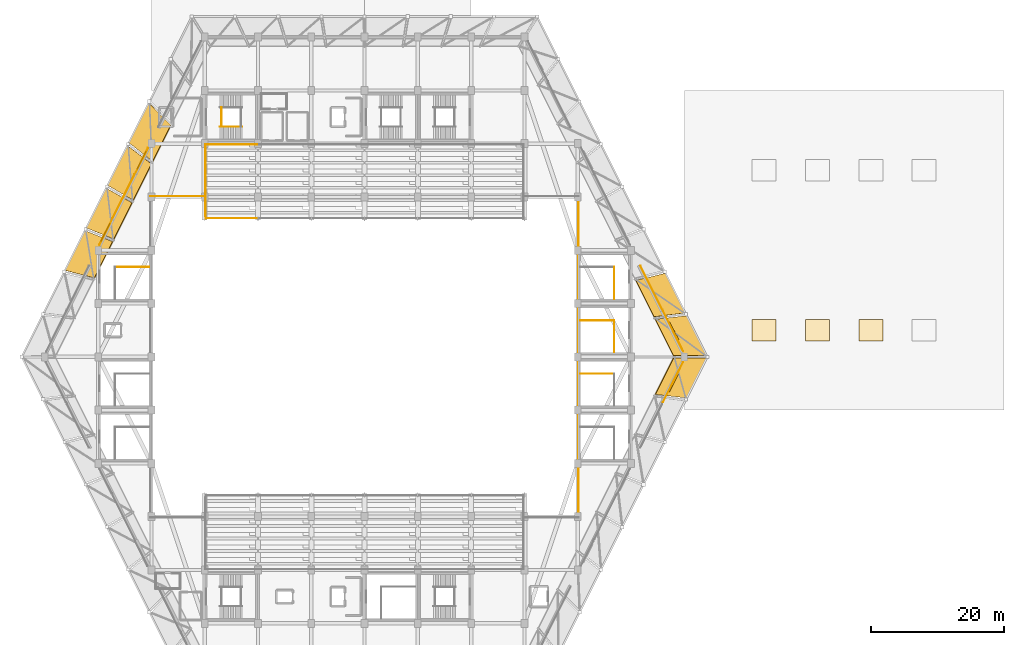
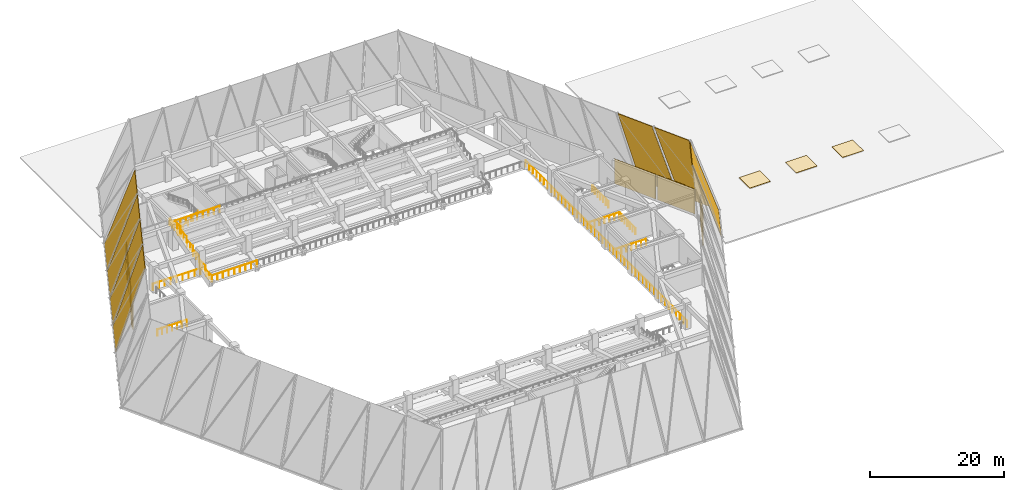
# One storey, part 22 of 24: 17 railings, 16 coverings, 4 shading devices.
"""IFC4 building model written with IfcOpenShell, lengths in metres."""

from ifc_helpers import new_model, si_unit, direction, frame, origin, origin_2d, place, context, subcontext, project, spatial, polyline, rectangle, circle, outline, extrude, material, layer, layer_set, type_object, element, save


model = new_model("IFC4")

# Units and contexts
model_context = context("Model", 3, precision=1e-05, world=origin(), true_north=direction((0.0, 1.0)))
body_context = subcontext(model_context, "Body", "Model", "MODEL_VIEW")
ifc_project = project(units=[si_unit("LENGTHUNIT", "METRE"), si_unit("AREAUNIT", "SQUARE_METRE"), si_unit("VOLUMEUNIT", "CUBIC_METRE"), si_unit("PLANEANGLEUNIT", "RADIAN"), si_unit("MASSUNIT", "GRAM", prefix="KILO")], contexts=[model_context])

# Site, building, storey
site_placement = place(None, origin())
site = spatial("IfcSite", under=ifc_project, at=site_placement, CompositionType="ELEMENT")
building_placement = place(site_placement, origin())
building = spatial("IfcBuilding", under=site, at=building_placement, Name="Tazarka Park Arena", CompositionType="ELEMENT")
storey_placement = place(building_placement, frame((0.0, 0.0, 15.0)))
storey = spatial("IfcBuildingStorey", under=building, at=storey_placement, Name="L03", CompositionType="ELEMENT", Elevation=15.0)

# Coverings
ifc_material_1 = material(Name="Dark ribbed perforated bronze-charcoal aluminium mesh", Category="aluminium")
ifc_layer_1 = layer(ifc_material_1, 0.06005859375, Name="Dark ribbed perforated bronze-charcoal aluminium mesh")
ifc_layer_set_1 = layer_set([ifc_layer_1], Name="Dark ribbed perforated bronze-charcoal aluminium mesh")
covering_type_1 = type_object("IfcCoveringType", Name="CLD-01", PredefinedType="CLADDING", material=ifc_layer_set_1)
covering_1_placement = place(storey_placement, frame((136.374267578125, 57.81689453125, 0.0), z_axis=(0.854429991825, -0.427205876156, 0.295710210253), x_axis=(0.447207903466, 0.894430036967, -7.026136e-06)))
element("IfcCovering", 1, at=covering_1_placement, inside=storey, type_object=covering_type_1, Name="Folded Gem Upper Ribbed Mesh Facet 016", PredefinedType="CLADDING", context=body_context, shape_type="SweptSolid", body=[
    extrude(outline(polyline([(0.0, 0.0), (6.684511219047283, 0.0), (4.478614228243955, 15.053124739790182), (-1.6235148351022615, 15.053030693136057), (0.0, 0.0)])), origin(), (0.0, 0.0, -1.0), 0.080078125),
])
covering_2_placement = place(storey_placement, frame((139.36376953125, 64.204345703125, 0.0), z_axis=(0.854429991825, 0.427205876156, 0.295710210253), x_axis=(-0.447207903466, 0.894430036967, 7.026136e-06)))
element("IfcCovering", 2, at=covering_2_placement, inside=storey, type_object=covering_type_1, Name="Folded Gem Upper Ribbed Mesh Facet 017", PredefinedType="CLADDING", context=body_context, shape_type="SweptSolid", body=[
    extrude(outline(polyline([(0.0, 0.0), (6.684511219047283, 0.0), (8.308026054149545, 15.053030693136057), (2.2058969908033284, 15.053124739790182), (0.0, 0.0)])), origin(), (0.0, 0.0, -1.0), 0.080078125),
])
covering_3_placement = place(storey_placement, frame((136.169921875, 70.591796875, 0.0), z_axis=(0.85442824834, 0.427205004432, 0.295716507193), x_axis=(-0.447205348407, 0.894431314496, -2.202062e-06)))
element("IfcCovering", 3, at=covering_3_placement, inside=storey, type_object=covering_type_1, Name="Folded Gem Upper Ribbed Mesh Facet 018", PredefinedType="CLADDING", context=body_context, shape_type="SweptSolid", body=[
    extrude(outline(polyline([(0.0, 0.0), (6.684402037742117, 1.1102230246251565e-16), (7.685865047796924, 15.053140232285772), (1.5836268028336562, 15.053110757054977), (0.0, 0.0)])), origin(), (0.0, 0.0, -1.0), 0.080078125),
])
covering_4_placement = place(storey_placement, frame((55.594482421875, 102.12060546875, 0.0), z_axis=(-0.854418063297, 0.427227271296, 0.295713766626), x_axis=(-0.447228812099, -0.894419582539, 2.10195e-07)))
element("IfcCovering", 4, at=covering_4_placement, inside=storey, type_object=covering_type_1, Name="Folded Gem Upper Ribbed Mesh Facet 035", PredefinedType="CLADDING", context=body_context, shape_type="SweptSolid", body=[
    extrude(outline(polyline([(0.0, 0.0), (6.684511220932458, -1.1102230246251565e-16), (7.589019723614486, 15.053107476761605), (1.4869998434161462, 15.053110290258305), (0.0, 0.0)])), origin(), (0.0, 0.0, -1.0), 0.080078125),
])
covering_5_placement = place(storey_placement, frame((52.400634765625, 95.733154296875, 0.0), z_axis=(-0.854425702053, 0.427212851026, 0.295712528631), x_axis=(-0.447212317948, -0.894427829763, 4.614148e-06)))
element("IfcCovering", 5, at=covering_5_placement, inside=storey, type_object=covering_type_1, Name="Folded Gem Upper Ribbed Mesh Facet 036", PredefinedType="CLADDING", context=body_context, shape_type="SweptSolid", body=[
    extrude(outline(polyline([(0.0, 0.0), (6.684402037113722, 2.220446049250313e-16), (6.96704036734277, 15.053069455925998), (0.8650204883458683, 15.05313121648849), (0.0, 0.0)])), origin(), (0.0, 0.0, -1.0), 0.080078125),
])
covering_6_placement = place(storey_placement, frame((49.206787109375, 89.345703125, 0.0), z_axis=(-0.854426594025, 0.427204177292, 0.295722481945), x_axis=(-0.447205348382, -0.894431314509, 2.202102e-06)))
element("IfcCovering", 6, at=covering_6_placement, inside=storey, type_object=covering_type_1, Name="Folded Gem Upper Ribbed Mesh Facet 037", PredefinedType="CLADDING", context=body_context, shape_type="SweptSolid", body=[
    extrude(outline(polyline([(0.0, 0.0), (6.684402037742119, -2.220446049250313e-16), (6.345133964078188, 15.053137033729044), (0.24289571911492003, 15.053166509555366), (0.0, 0.0)])), origin(), (0.0, 0.0, -1.0), 0.080078125),
])
covering_7_placement = place(storey_placement, frame((46.01318359375, 82.9580078125, 0.0), z_axis=(-0.854416765636, 0.427226622438, 0.295718453399), x_axis=(-0.447230089743, -0.894418943678, -4.404259e-06)))
element("IfcCovering", 7, at=covering_7_placement, inside=storey, type_object=covering_type_1, Name="Folded Gem Upper Ribbed Mesh Facet 038", PredefinedType="CLADDING", context=body_context, shape_type="SweptSolid", body=[
    extrude(outline(polyline([(0.0, 0.0), (6.684292856854548, 1.1102230246251565e-16), (5.722681874086814, 15.053158393174112), (-0.3795563700538452, 15.053099441361649), (0.0, 0.0)])), origin(), (0.0, 0.0, -1.0), 0.080078125),
])
covering_8_placement = place(storey_placement, frame((134.310546875, 60.196533203125, 0.0), z_axis=(0.0, 0.0, 1.0), x_axis=(-0.447290848419, -0.89438856037, 0.0)))
element("IfcCovering", 8, at=covering_8_placement, inside=storey, type_object=covering_type_1, Name="Ribbed Metal Mesh Cladding EW-L03-0290", PredefinedType="CLADDING", context=body_context, shape_type="SweptSolid", body=[
    extrude(rectangle(XDim=6.718017578125, YDim=0.06005859375, at=origin_2d()), origin(), (0.0, 0.0, 1.0), 4.5),
])
covering_9_placement = place(storey_placement, frame((131.06298828125, 74.388671875, 0.0), z_axis=(0.0, 0.0, 1.0), x_axis=(0.447290848419, -0.89438856037, 0.0)))
element("IfcCovering", 9, at=covering_9_placement, inside=storey, type_object=covering_type_1, Name="Ribbed Metal Mesh Cladding EW-L03-0302", PredefinedType="CLADDING", context=body_context, shape_type="SweptSolid", body=[
    extrude(rectangle(XDim=7.366455078125, YDim=0.06005859375, at=origin_2d()), origin(), (0.0, 0.0, 1.0), 4.5),
])
covering_10_placement = place(storey_placement, frame((134.350830078125, 67.823486328125, 0.0), z_axis=(0.0, 0.0, 1.0), x_axis=(0.447290848419, -0.89438856037, 0.0)))
element("IfcCovering", 10, at=covering_10_placement, inside=storey, type_object=covering_type_1, Name="Ribbed Metal Mesh Cladding EW-L03-0303", PredefinedType="CLADDING", context=body_context, shape_type="SweptSolid", body=[
    extrude(rectangle(XDim=6.718017578125, YDim=0.06005859375, at=origin_2d()), origin(), (0.0, 0.0, 1.0), 4.5),
])
covering_11_placement = place(storey_placement, frame((49.122314453125, 82.658447265625, 0.0), z_axis=(0.0, 0.0, 1.0), x_axis=(0.447290848419, 0.89438856037, 0.0)))
element("IfcCovering", 11, at=covering_11_placement, inside=storey, type_object=covering_type_1, Name="Ribbed Metal Mesh Cladding EW-L03-0312", PredefinedType="CLADDING", context=body_context, shape_type="SweptSolid", body=[
    extrude(rectangle(XDim=4.16259765625, YDim=0.06005859375, at=origin_2d()), origin(), (0.0, 0.0, 1.0), 4.5),
])
covering_12_placement = place(storey_placement, frame((51.82568359375, 88.087158203125, 0.0), z_axis=(0.0, 0.0, 1.0), x_axis=(0.447290848419, 0.89438856037, 0.0)))
element("IfcCovering", 12, at=covering_12_placement, inside=storey, type_object=covering_type_1, Name="Ribbed Metal Mesh Cladding EW-L03-0313", PredefinedType="CLADDING", context=body_context, shape_type="SweptSolid", body=[
    extrude(rectangle(XDim=7.36669921875, YDim=0.06005859375, at=origin_2d()), origin(), (0.0, 0.0, 1.0), 4.5),
])
covering_13_placement = place(storey_placement, frame((54.573486328125, 93.49365234375, 0.0), z_axis=(0.0, 0.0, 1.0), x_axis=(0.447290848419, 0.89438856037, 0.0)))
element("IfcCovering", 13, at=covering_13_placement, inside=storey, type_object=covering_type_1, Name="Ribbed Metal Mesh Cladding EW-L03-0314", PredefinedType="CLADDING", context=body_context, shape_type="SweptSolid", body=[
    extrude(rectangle(XDim=4.16259765625, YDim=0.06005859375, at=origin_2d()), origin(), (0.0, 0.0, 1.0), 4.5),
])

# Railings
ifc_material_2 = material(Name="Brushed architectural stainless steel", Category="steel")
railing_type_1 = type_object("IfcRailingType", Name="HR-01", PredefinedType="HANDRAIL", material=ifc_material_2)
railing_1_placement = place(storey_placement, frame((66.31494140625, 98.550048828125, 0.0)))
element("IfcRailing", 14, at=railing_1_placement, inside=storey, type_object=railing_type_1, Name="Stair Handrail ST14-L03-F1", PredefinedType="HANDRAIL", context=body_context, shape_type="SweptSolid", body=[
    extrude(circle(Radius=0.02392578125, at=origin_2d()), frame((0.0, 0.0, 0.89599609375), z_axis=(0.810008566192, 0.0, 0.586418044312), x_axis=(0.0, 1.0, 0.0)), (0.0, 0.0, 1.0), 4.092529296875),
    extrude(circle(Radius=0.02099609375, at=origin_2d()), origin(), (0.0, 0.0, 1.0), 0.871826171875),
    extrude(circle(Radius=0.02099609375, at=origin_2d()), frame((0.82861328125, 0.0, 0.60009765625)), (0.0, 0.0, 1.0), 0.871826171875),
    extrude(circle(Radius=0.02099609375, at=origin_2d()), frame((1.657470703125, 0.0, 1.199951171875)), (0.0, 0.0, 1.0), 0.871826171875),
    extrude(circle(Radius=0.02099609375, at=origin_2d()), frame((2.486328125, 0.0, 1.7998046875)), (0.0, 0.0, 1.0), 0.871826171875),
    extrude(circle(Radius=0.02099609375, at=origin_2d()), frame((3.31494140625, 0.0, 2.39990234375)), (0.0, 0.0, 1.0), 0.871826171875),
])
ifc_material_3 = material(Name="Galvanised powder-coated architectural steel", Category="steel")
railing_type_2 = type_object("IfcRailingType", Name="IGR-01", PredefinedType="GUARDRAIL", material=ifc_material_3)
railing_2_placement = place(storey_placement, frame((125.485107421875, 61.449951171875, 0.0)))
element("IfcRailing", 15, at=railing_2_placement, inside=storey, type_object=railing_type_2, Name="Top Well Guardrail ST12-L03", PredefinedType="GUARDRAIL", context=body_context, shape_type="SweptSolid", body=[
    extrude(circle(Radius=0.02392578125, at=origin_2d()), frame((0.0, 0.0, 1.1259765625), z_axis=(-1.0, 0.0, 0.0), x_axis=(0.0, -1.0, 0.0)), (0.0, 0.0, 1.0), 5.105224609375),
    extrude(circle(Radius=0.02099609375, at=origin_2d()), origin(), (0.0, 0.0, 1.0), 1.101806640625),
    extrude(circle(Radius=0.02099609375, at=origin_2d()), frame((-0.850830078125, 0.0, 0.0)), (0.0, 0.0, 1.0), 1.101806640625),
    extrude(circle(Radius=0.02099609375, at=origin_2d()), frame((-1.70166015625, 0.0, 0.0)), (0.0, 0.0, 1.0), 1.101806640625),
    extrude(circle(Radius=0.02099609375, at=origin_2d()), frame((-2.552734375, 0.0, 0.0)), (0.0, 0.0, 1.0), 1.101806640625),
    extrude(circle(Radius=0.02099609375, at=origin_2d()), frame((-3.403564453125, 0.0, 0.0)), (0.0, 0.0, 1.0), 1.101806640625),
    extrude(circle(Radius=0.02099609375, at=origin_2d()), frame((-4.25439453125, 0.0, 0.0)), (0.0, 0.0, 1.0), 1.101806640625),
    extrude(circle(Radius=0.02099609375, at=origin_2d()), frame((-5.105224609375, 0.0, 0.0)), (0.0, 0.0, 1.0), 1.101806640625),
])
railing_3_placement = place(storey_placement, frame((66.514892578125, 98.550048828125, 0.0)))
element("IfcRailing", 16, at=railing_3_placement, inside=storey, type_object=railing_type_2, Name="Stair Well Guardrail ST14-L03", PredefinedType="GUARDRAIL", context=body_context, shape_type="SweptSolid", body=[
    extrude(circle(Radius=0.02392578125, at=origin_2d()), frame((0.0, 0.0, 1.1259765625), z_axis=(0.0, 1.0, 0.0), x_axis=(-1.0, 0.0, 0.0)), (0.0, 0.0, 1.0), 2.89990234375),
    extrude(circle(Radius=0.02099609375, at=origin_2d()), origin(), (0.0, 0.0, 1.0), 1.101806640625),
    extrude(circle(Radius=0.02099609375, at=origin_2d()), frame((0.0, 0.72509765625, 0.0)), (0.0, 0.0, 1.0), 1.101806640625),
    extrude(circle(Radius=0.02099609375, at=origin_2d()), frame((0.0, 1.449951171875, 0.0)), (0.0, 0.0, 1.0), 1.101806640625),
    extrude(circle(Radius=0.02099609375, at=origin_2d()), frame((0.0, 2.1748046875, 0.0)), (0.0, 0.0, 1.0), 1.101806640625),
    extrude(circle(Radius=0.02099609375, at=origin_2d()), frame((0.0, 2.89990234375, 0.0)), (0.0, 0.0, 1.0), 1.101806640625),
])
railing_4_placement = place(storey_placement, frame((125.485107421875, 64.679931640625, 0.0)))
element("IfcRailing", 17, at=railing_4_placement, inside=storey, type_object=railing_type_2, Name="Stair Well Guardrail ST16-L03", PredefinedType="GUARDRAIL", context=body_context, shape_type="SweptSolid", body=[
    extrude(circle(Radius=0.02392578125, at=origin_2d()), frame((0.0, 0.0, 1.1259765625), z_axis=(0.0, 1.0, 0.0), x_axis=(-1.0, 0.0, 0.0)), (0.0, 0.0, 1.0), 4.77001953125),
    extrude(circle(Radius=0.02099609375, at=origin_2d()), origin(), (0.0, 0.0, 1.0), 1.101806640625),
    extrude(circle(Radius=0.02099609375, at=origin_2d()), frame((0.0, 0.794921875, 0.0)), (0.0, 0.0, 1.0), 1.101806640625),
    extrude(circle(Radius=0.02099609375, at=origin_2d()), frame((0.0, 1.590087890625, 0.0)), (0.0, 0.0, 1.0), 1.101806640625),
    extrude(circle(Radius=0.02099609375, at=origin_2d()), frame((0.0, 2.385009765625, 0.0)), (0.0, 0.0, 1.0), 1.101806640625),
    extrude(circle(Radius=0.02099609375, at=origin_2d()), frame((0.0, 3.179931640625, 0.0)), (0.0, 0.0, 1.0), 1.101806640625),
    extrude(circle(Radius=0.02099609375, at=origin_2d()), frame((0.0, 3.97509765625, 0.0)), (0.0, 0.0, 1.0), 1.101806640625),
    extrude(circle(Radius=0.02099609375, at=origin_2d()), frame((0.0, 4.77001953125, 0.0)), (0.0, 0.0, 1.0), 1.101806640625),
])
railing_5_placement = place(storey_placement, frame((125.485107421875, 69.449951171875, 0.0)))
element("IfcRailing", 18, at=railing_5_placement, inside=storey, type_object=railing_type_2, Name="Top Well Guardrail ST16-L03", PredefinedType="GUARDRAIL", context=body_context, shape_type="SweptSolid", body=[
    extrude(circle(Radius=0.02392578125, at=origin_2d()), frame((0.0, 0.0, 1.1259765625), z_axis=(-1.0, 0.0, 0.0), x_axis=(0.0, -1.0, 0.0)), (0.0, 0.0, 1.0), 5.105224609375),
    extrude(circle(Radius=0.02099609375, at=origin_2d()), origin(), (0.0, 0.0, 1.0), 1.101806640625),
    extrude(circle(Radius=0.02099609375, at=origin_2d()), frame((-0.850830078125, 0.0, 0.0)), (0.0, 0.0, 1.0), 1.101806640625),
    extrude(circle(Radius=0.02099609375, at=origin_2d()), frame((-1.70166015625, 0.0, 0.0)), (0.0, 0.0, 1.0), 1.101806640625),
    extrude(circle(Radius=0.02099609375, at=origin_2d()), frame((-2.552734375, 0.0, 0.0)), (0.0, 0.0, 1.0), 1.101806640625),
    extrude(circle(Radius=0.02099609375, at=origin_2d()), frame((-3.403564453125, 0.0, 0.0)), (0.0, 0.0, 1.0), 1.101806640625),
    extrude(circle(Radius=0.02099609375, at=origin_2d()), frame((-4.25439453125, 0.0, 0.0)), (0.0, 0.0, 1.0), 1.101806640625),
    extrude(circle(Radius=0.02099609375, at=origin_2d()), frame((-5.105224609375, 0.0, 0.0)), (0.0, 0.0, 1.0), 1.101806640625),
])
railing_6_placement = place(storey_placement, frame((50.514892578125, 77.489990234375, 0.0)))
element("IfcRailing", 19, at=railing_6_placement, inside=storey, type_object=railing_type_2, Name="Top Well Guardrail ST20-L03", PredefinedType="GUARDRAIL", context=body_context, shape_type="SweptSolid", body=[
    extrude(circle(Radius=0.02392578125, at=origin_2d()), frame((0.0, 0.0, 1.1259765625), z_axis=(1.0, 0.0, 0.0), x_axis=(0.0, 1.0, 0.0)), (0.0, 0.0, 1.0), 5.105224609375),
    extrude(circle(Radius=0.02099609375, at=origin_2d()), origin(), (0.0, 0.0, 1.0), 1.101806640625),
    extrude(circle(Radius=0.02099609375, at=origin_2d()), frame((0.850830078125, 0.0, 0.0)), (0.0, 0.0, 1.0), 1.101806640625),
    extrude(circle(Radius=0.02099609375, at=origin_2d()), frame((1.70166015625, 0.0, 0.0)), (0.0, 0.0, 1.0), 1.101806640625),
    extrude(circle(Radius=0.02099609375, at=origin_2d()), frame((2.552734375, 0.0, 0.0)), (0.0, 0.0, 1.0), 1.101806640625),
    extrude(circle(Radius=0.02099609375, at=origin_2d()), frame((3.403564453125, 0.0, 0.0)), (0.0, 0.0, 1.0), 1.101806640625),
    extrude(circle(Radius=0.02099609375, at=origin_2d()), frame((4.25439453125, 0.0, 0.0)), (0.0, 0.0, 1.0), 1.101806640625),
    extrude(circle(Radius=0.02099609375, at=origin_2d()), frame((5.105224609375, 0.0, 0.0)), (0.0, 0.0, 1.0), 1.101806640625),
])
railing_7_placement = place(storey_placement, frame((125.485107421875, 72.679931640625, 0.0)))
element("IfcRailing", 20, at=railing_7_placement, inside=storey, type_object=railing_type_2, Name="Stair Well Guardrail ST22-L03", PredefinedType="GUARDRAIL", context=body_context, shape_type="SweptSolid", body=[
    extrude(circle(Radius=0.02392578125, at=origin_2d()), frame((0.0, 0.0, 1.1259765625), z_axis=(0.0, 1.0, 0.0), x_axis=(-1.0, 0.0, 0.0)), (0.0, 0.0, 1.0), 4.81005859375),
    extrude(circle(Radius=0.02099609375, at=origin_2d()), origin(), (0.0, 0.0, 1.0), 1.101806640625),
    extrude(circle(Radius=0.02099609375, at=origin_2d()), frame((0.0, 0.8017578125, 0.0)), (0.0, 0.0, 1.0), 1.101806640625),
    extrude(circle(Radius=0.02099609375, at=origin_2d()), frame((0.0, 1.603271484375, 0.0)), (0.0, 0.0, 1.0), 1.101806640625),
    extrude(circle(Radius=0.02099609375, at=origin_2d()), frame((0.0, 2.405029296875, 0.0)), (0.0, 0.0, 1.0), 1.101806640625),
    extrude(circle(Radius=0.02099609375, at=origin_2d()), frame((0.0, 3.206787109375, 0.0)), (0.0, 0.0, 1.0), 1.101806640625),
    extrude(circle(Radius=0.02099609375, at=origin_2d()), frame((0.0, 4.00830078125, 0.0)), (0.0, 0.0, 1.0), 1.101806640625),
    extrude(circle(Radius=0.02099609375, at=origin_2d()), frame((0.0, 4.81005859375, 0.0)), (0.0, 0.0, 1.0), 1.101806640625),
])
railing_8_placement = place(storey_placement, frame((120.1201171875, 39.8798828125, 0.0)))
element("IfcRailing", 21, at=railing_8_placement, inside=storey, type_object=railing_type_2, Name="Interior Barrier Guardrail IGR-01-010", PredefinedType="GUARDRAIL", context=body_context, shape_type="SweptSolid", body=[
    extrude(circle(Radius=0.02392578125, at=origin_2d()), frame((0.0, 0.0, 1.1259765625), z_axis=(0.0, 1.0, 0.0), x_axis=(-1.0, 0.0, 0.0)), (0.0, 0.0, 1.0), 48.240234375),
    extrude(circle(Radius=0.02099609375, at=origin_2d()), origin(), (0.0, 0.0, 1.0), 1.101806640625),
    extrude(circle(Radius=0.02099609375, at=origin_2d()), frame((0.0, 1.096435546875, 0.0)), (0.0, 0.0, 1.0), 1.101806640625),
    extrude(circle(Radius=0.02099609375, at=origin_2d()), frame((0.0, 2.192626953125, 0.0)), (0.0, 0.0, 1.0), 1.101806640625),
    extrude(circle(Radius=0.02099609375, at=origin_2d()), frame((0.0, 3.2890625, 0.0)), (0.0, 0.0, 1.0), 1.101806640625),
    extrude(circle(Radius=0.02099609375, at=origin_2d()), frame((0.0, 4.385498046875, 0.0)), (0.0, 0.0, 1.0), 1.101806640625),
    extrude(circle(Radius=0.02099609375, at=origin_2d()), frame((0.0, 5.48193359375, 0.0)), (0.0, 0.0, 1.0), 1.101806640625),
    extrude(circle(Radius=0.02099609375, at=origin_2d()), frame((0.0, 6.578125, 0.0)), (0.0, 0.0, 1.0), 1.101806640625),
    extrude(circle(Radius=0.02099609375, at=origin_2d()), frame((0.0, 7.674560546875, 0.0)), (0.0, 0.0, 1.0), 1.101806640625),
    extrude(circle(Radius=0.02099609375, at=origin_2d()), frame((0.0, 8.77099609375, 0.0)), (0.0, 0.0, 1.0), 1.101806640625),
    extrude(circle(Radius=0.02099609375, at=origin_2d()), frame((0.0, 9.867431640625, 0.0)), (0.0, 0.0, 1.0), 1.101806640625),
    extrude(circle(Radius=0.02099609375, at=origin_2d()), frame((0.0, 10.963623046875, 0.0)), (0.0, 0.0, 1.0), 1.101806640625),
    extrude(circle(Radius=0.02099609375, at=origin_2d()), frame((0.0, 12.06005859375, 0.0)), (0.0, 0.0, 1.0), 1.101806640625),
    extrude(circle(Radius=0.02099609375, at=origin_2d()), frame((0.0, 13.156494140625, 0.0)), (0.0, 0.0, 1.0), 1.101806640625),
    extrude(circle(Radius=0.02099609375, at=origin_2d()), frame((0.0, 14.252685546875, 0.0)), (0.0, 0.0, 1.0), 1.101806640625),
    extrude(circle(Radius=0.02099609375, at=origin_2d()), frame((0.0, 15.34912109375, 0.0)), (0.0, 0.0, 1.0), 1.101806640625),
    extrude(circle(Radius=0.02099609375, at=origin_2d()), frame((0.0, 16.445556640625, 0.0)), (0.0, 0.0, 1.0), 1.101806640625),
    extrude(circle(Radius=0.02099609375, at=origin_2d()), frame((0.0, 17.5419921875, 0.0)), (0.0, 0.0, 1.0), 1.101806640625),
    extrude(circle(Radius=0.02099609375, at=origin_2d()), frame((0.0, 18.63818359375, 0.0)), (0.0, 0.0, 1.0), 1.101806640625),
    extrude(circle(Radius=0.02099609375, at=origin_2d()), frame((0.0, 19.734619140625, 0.0)), (0.0, 0.0, 1.0), 1.101806640625),
    extrude(circle(Radius=0.02099609375, at=origin_2d()), frame((0.0, 20.8310546875, 0.0)), (0.0, 0.0, 1.0), 1.101806640625),
    extrude(circle(Radius=0.02099609375, at=origin_2d()), frame((0.0, 21.927490234375, 0.0)), (0.0, 0.0, 1.0), 1.101806640625),
    extrude(circle(Radius=0.02099609375, at=origin_2d()), frame((0.0, 23.023681640625, 0.0)), (0.0, 0.0, 1.0), 1.101806640625),
    extrude(circle(Radius=0.02099609375, at=origin_2d()), frame((0.0, 24.1201171875, 0.0)), (0.0, 0.0, 1.0), 1.101806640625),
    extrude(circle(Radius=0.02099609375, at=origin_2d()), frame((0.0, 25.216552734375, 0.0)), (0.0, 0.0, 1.0), 1.101806640625),
    extrude(circle(Radius=0.02099609375, at=origin_2d()), frame((0.0, 26.312744140625, 0.0)), (0.0, 0.0, 1.0), 1.101806640625),
    extrude(circle(Radius=0.02099609375, at=origin_2d()), frame((0.0, 27.4091796875, 0.0)), (0.0, 0.0, 1.0), 1.101806640625),
    extrude(circle(Radius=0.02099609375, at=origin_2d()), frame((0.0, 28.505615234375, 0.0)), (0.0, 0.0, 1.0), 1.101806640625),
    extrude(circle(Radius=0.02099609375, at=origin_2d()), frame((0.0, 29.60205078125, 0.0)), (0.0, 0.0, 1.0), 1.101806640625),
    extrude(circle(Radius=0.02099609375, at=origin_2d()), frame((0.0, 30.6982421875, 0.0)), (0.0, 0.0, 1.0), 1.101806640625),
    extrude(circle(Radius=0.02099609375, at=origin_2d()), frame((0.0, 31.794677734375, 0.0)), (0.0, 0.0, 1.0), 1.101806640625),
    extrude(circle(Radius=0.02099609375, at=origin_2d()), frame((0.0, 32.89111328125, 0.0)), (0.0, 0.0, 1.0), 1.101806640625),
    extrude(circle(Radius=0.02099609375, at=origin_2d()), frame((0.0, 33.987548828125, 0.0)), (0.0, 0.0, 1.0), 1.101806640625),
    extrude(circle(Radius=0.02099609375, at=origin_2d()), frame((0.0, 35.083740234375, 0.0)), (0.0, 0.0, 1.0), 1.101806640625),
    extrude(circle(Radius=0.02099609375, at=origin_2d()), frame((0.0, 36.18017578125, 0.0)), (0.0, 0.0, 1.0), 1.101806640625),
    extrude(circle(Radius=0.02099609375, at=origin_2d()), frame((0.0, 37.276611328125, 0.0)), (0.0, 0.0, 1.0), 1.101806640625),
    extrude(circle(Radius=0.02099609375, at=origin_2d()), frame((0.0, 38.372802734375, 0.0)), (0.0, 0.0, 1.0), 1.101806640625),
    extrude(circle(Radius=0.02099609375, at=origin_2d()), frame((0.0, 39.46923828125, 0.0)), (0.0, 0.0, 1.0), 1.101806640625),
    extrude(circle(Radius=0.02099609375, at=origin_2d()), frame((0.0, 40.565673828125, 0.0)), (0.0, 0.0, 1.0), 1.101806640625),
    extrude(circle(Radius=0.02099609375, at=origin_2d()), frame((0.0, 41.662109375, 0.0)), (0.0, 0.0, 1.0), 1.101806640625),
    extrude(circle(Radius=0.02099609375, at=origin_2d()), frame((0.0, 42.75830078125, 0.0)), (0.0, 0.0, 1.0), 1.101806640625),
    extrude(circle(Radius=0.02099609375, at=origin_2d()), frame((0.0, 43.854736328125, 0.0)), (0.0, 0.0, 1.0), 1.101806640625),
    extrude(circle(Radius=0.02099609375, at=origin_2d()), frame((0.0, 44.951171875, 0.0)), (0.0, 0.0, 1.0), 1.101806640625),
    extrude(circle(Radius=0.02099609375, at=origin_2d()), frame((0.0, 46.047607421875, 0.0)), (0.0, 0.0, 1.0), 1.101806640625),
    extrude(circle(Radius=0.02099609375, at=origin_2d()), frame((0.0, 47.143798828125, 0.0)), (0.0, 0.0, 1.0), 1.101806640625),
    extrude(circle(Radius=0.02099609375, at=origin_2d()), frame((0.0, 48.240234375, 0.0)), (0.0, 0.0, 1.0), 1.101806640625),
])
railing_9_placement = place(storey_placement, frame((55.8798828125, 88.1201171875, 0.0)))
element("IfcRailing", 22, at=railing_9_placement, inside=storey, type_object=railing_type_2, Name="Interior Barrier Guardrail IGR-01-013", PredefinedType="GUARDRAIL", context=body_context, shape_type="SweptSolid", body=[
    extrude(circle(Radius=0.02392578125, at=origin_2d()), frame((0.0, 0.0, 1.1259765625), z_axis=(1.0, 0.0, 0.0), x_axis=(0.0, 1.0, 0.0)), (0.0, 0.0, 1.0), 8.22021484375),
    extrude(circle(Radius=0.02099609375, at=origin_2d()), origin(), (0.0, 0.0, 1.0), 1.101806640625),
    extrude(circle(Radius=0.02099609375, at=origin_2d()), frame((1.027587890625, 0.0, 0.0)), (0.0, 0.0, 1.0), 1.101806640625),
    extrude(circle(Radius=0.02099609375, at=origin_2d()), frame((2.05517578125, 0.0, 0.0)), (0.0, 0.0, 1.0), 1.101806640625),
    extrude(circle(Radius=0.02099609375, at=origin_2d()), frame((3.08251953125, 0.0, 0.0)), (0.0, 0.0, 1.0), 1.101806640625),
    extrude(circle(Radius=0.02099609375, at=origin_2d()), frame((4.110107421875, 0.0, 0.0)), (0.0, 0.0, 1.0), 1.101806640625),
    extrude(circle(Radius=0.02099609375, at=origin_2d()), frame((5.1376953125, 0.0, 0.0)), (0.0, 0.0, 1.0), 1.101806640625),
    extrude(circle(Radius=0.02099609375, at=origin_2d()), frame((6.1650390625, 0.0, 0.0)), (0.0, 0.0, 1.0), 1.101806640625),
    extrude(circle(Radius=0.02099609375, at=origin_2d()), frame((7.192626953125, 0.0, 0.0)), (0.0, 0.0, 1.0), 1.101806640625),
    extrude(circle(Radius=0.02099609375, at=origin_2d()), frame((8.22021484375, 0.0, 0.0)), (0.0, 0.0, 1.0), 1.101806640625),
])
railing_10_placement = place(storey_placement, frame((64.1201171875, 84.780029296875, 0.64990234375)))
element("IfcRailing", 23, at=railing_10_placement, inside=storey, type_object=railing_type_2, Name="Interior Barrier Guardrail IGR-01-091", PredefinedType="GUARDRAIL", context=body_context, shape_type="SweptSolid", body=[
    extrude(circle(Radius=0.02392578125, at=origin_2d()), frame((0.0, 0.0, 1.1259765625), z_axis=(0.0, 1.0, 0.0), x_axis=(-1.0, 0.0, 0.0)), (0.0, 0.0, 1.0), 1.719970703125),
    extrude(circle(Radius=0.02099609375, at=origin_2d()), origin(), (0.0, 0.0, 1.0), 1.101806640625),
    extrude(circle(Radius=0.02099609375, at=origin_2d()), frame((0.0, 0.85986328125, 0.0)), (0.0, 0.0, 1.0), 1.101806640625),
    extrude(circle(Radius=0.02099609375, at=origin_2d()), frame((0.0, 1.719970703125, 0.0)), (0.0, 0.0, 1.0), 1.101806640625),
])
railing_11_placement = place(storey_placement, frame((64.1201171875, 84.800048828125, 0.64990234375)))
element("IfcRailing", 24, at=railing_11_placement, inside=storey, type_object=railing_type_2, Name="Interior Barrier Guardrail IGR-01-092", PredefinedType="GUARDRAIL", context=body_context, shape_type="SweptSolid", body=[
    extrude(circle(Radius=0.02392578125, at=origin_2d()), frame((0.0, 0.0, 1.1259765625), z_axis=(1.0, 0.0, 0.0), x_axis=(0.0, 1.0, 0.0)), (0.0, 0.0, 1.0), 7.759765625),
    extrude(circle(Radius=0.02099609375, at=origin_2d()), origin(), (0.0, 0.0, 1.0), 1.101806640625),
    extrude(circle(Radius=0.02099609375, at=origin_2d()), frame((0.969970703125, 0.0, 0.0)), (0.0, 0.0, 1.0), 1.101806640625),
    extrude(circle(Radius=0.02099609375, at=origin_2d()), frame((1.93994140625, 0.0, 0.0)), (0.0, 0.0, 1.0), 1.101806640625),
    extrude(circle(Radius=0.02099609375, at=origin_2d()), frame((2.909912109375, 0.0, 0.0)), (0.0, 0.0, 1.0), 1.101806640625),
    extrude(circle(Radius=0.02099609375, at=origin_2d()), frame((3.8798828125, 0.0, 0.0)), (0.0, 0.0, 1.0), 1.101806640625),
    extrude(circle(Radius=0.02099609375, at=origin_2d()), frame((4.849853515625, 0.0, 0.0)), (0.0, 0.0, 1.0), 1.101806640625),
    extrude(circle(Radius=0.02099609375, at=origin_2d()), frame((5.81982421875, 0.0, 0.0)), (0.0, 0.0, 1.0), 1.101806640625),
    extrude(circle(Radius=0.02099609375, at=origin_2d()), frame((6.789794921875, 0.0, 0.0)), (0.0, 0.0, 1.0), 1.101806640625),
    extrude(circle(Radius=0.02099609375, at=origin_2d()), frame((7.759765625, 0.0, 0.0)), (0.0, 0.0, 1.0), 1.101806640625),
])
for number, where, name in (
    (25, (64.1201171875, 86.659912109375, 1.300048828125), "Interior Barrier Guardrail IGR-01-099"),
    (26, (64.1201171875, 88.5400390625, 1.949951171875), "Interior Barrier Guardrail IGR-01-101"),
    (27, (64.1201171875, 90.419921875, 2.60009765625), "Interior Barrier Guardrail IGR-01-103"),
    (28, (64.1201171875, 92.300048828125, 3.25), "Interior Barrier Guardrail IGR-01-105"),
    (29, (64.1201171875, 94.179931640625, 3.89990234375), "Interior Barrier Guardrail IGR-01-107"),
):
    element("IfcRailing", number, at=place(storey_placement, frame(where)), inside=storey, type_object=railing_type_2, Name=name, PredefinedType="GUARDRAIL", context=body_context, shape_type="SweptSolid", body=[
        extrude(circle(Radius=0.02392578125, at=origin_2d()), frame((0.0, 0.0, 1.1259765625), z_axis=(0.0, 1.0, 0.0), x_axis=(-1.0, 0.0, 0.0)), (0.0, 0.0, 1.0), 1.719970703125),
        extrude(circle(Radius=0.02099609375, at=origin_2d()), origin(), (0.0, 0.0, 1.0), 1.101806640625),
        extrude(circle(Radius=0.02099609375, at=origin_2d()), frame((0.0, 0.85986328125, 0.0)), (0.0, 0.0, 1.0), 1.101806640625),
        extrude(circle(Radius=0.02099609375, at=origin_2d()), frame((0.0, 1.719970703125, 0.0)), (0.0, 0.0, 1.0), 1.101806640625),
    ])
railing_12_placement = place(storey_placement, frame((64.1201171875, 95.8798828125, 3.89990234375)))
element("IfcRailing", 30, at=railing_12_placement, inside=storey, type_object=railing_type_2, Name="Interior Barrier Guardrail IGR-01-108", PredefinedType="GUARDRAIL", context=body_context, shape_type="SweptSolid", body=[
    extrude(circle(Radius=0.02392578125, at=origin_2d()), frame((0.0, 0.0, 1.1259765625), z_axis=(1.0, 0.0, 0.0), x_axis=(0.0, 1.0, 0.0)), (0.0, 0.0, 1.0), 7.759765625),
    extrude(circle(Radius=0.02099609375, at=origin_2d()), origin(), (0.0, 0.0, 1.0), 1.101806640625),
    extrude(circle(Radius=0.02099609375, at=origin_2d()), frame((0.969970703125, 0.0, 0.0)), (0.0, 0.0, 1.0), 1.101806640625),
    extrude(circle(Radius=0.02099609375, at=origin_2d()), frame((1.93994140625, 0.0, 0.0)), (0.0, 0.0, 1.0), 1.101806640625),
    extrude(circle(Radius=0.02099609375, at=origin_2d()), frame((2.909912109375, 0.0, 0.0)), (0.0, 0.0, 1.0), 1.101806640625),
    extrude(circle(Radius=0.02099609375, at=origin_2d()), frame((3.8798828125, 0.0, 0.0)), (0.0, 0.0, 1.0), 1.101806640625),
    extrude(circle(Radius=0.02099609375, at=origin_2d()), frame((4.849853515625, 0.0, 0.0)), (0.0, 0.0, 1.0), 1.101806640625),
    extrude(circle(Radius=0.02099609375, at=origin_2d()), frame((5.81982421875, 0.0, 0.0)), (0.0, 0.0, 1.0), 1.101806640625),
    extrude(circle(Radius=0.02099609375, at=origin_2d()), frame((6.789794921875, 0.0, 0.0)), (0.0, 0.0, 1.0), 1.101806640625),
    extrude(circle(Radius=0.02099609375, at=origin_2d()), frame((7.759765625, 0.0, 0.0)), (0.0, 0.0, 1.0), 1.101806640625),
])

# Coverings
ifc_material_4 = material(Name="Standing-seam acoustic aluminium roofing membrane", Category="aluminium")
ifc_layer_2 = layer(ifc_material_4, 0.050048828125, Name="Standing-seam acoustic aluminium roofing membrane")
ifc_layer_set_2 = layer_set([ifc_layer_2], Name="Standing-seam acoustic aluminium roofing membrane")
covering_type_2 = type_object("IfcCoveringType", Name="RFG-01", PredefinedType="ROOFING", material=ifc_layer_set_2)
for number, where, z_axis, x_axis, name in (
    (31, (148.0, 68.0, 0.06005859375), (0.0, 0.0, 1.0), (1.0, 0.0, 0.0), "Warm-Up Hall Standing-Seam Membrane 01"),
    (32, (156.0, 68.0, 0.06005859375), (0.0, 0.0, 1.0), (1.0, 0.0, 0.0), "Warm-Up Hall Standing-Seam Membrane 03"),
    (33, (164.0, 68.0, 0.06005859375), (0.0, 0.0, 1.0), (1.0, 0.0, 0.0), "Warm-Up Hall Standing-Seam Membrane 05"),
):
    element("IfcCovering", number, at=place(storey_placement, frame(where, z_axis=z_axis, x_axis=x_axis)), inside=storey, type_object=covering_type_2, Name=name, PredefinedType="ROOFING", context=body_context, shape_type="SweptSolid", body=[
        extrude(rectangle(XDim=3.60009765625, YDim=3.199951171875, at=origin_2d()), origin(), (0.0, 0.0, 1.0), 0.050048828125),
    ])

# Shading devices
ifc_material_5 = material(Name="Dark ribbed perforated bronze-charcoal aluminium mesh", Category="aluminium")
shading_device_type = type_object("IfcShadingDeviceType", Name="SHD-02", PredefinedType="JALOUSIE", material=ifc_material_5)
for number, where, z_axis, x_axis, name in (
    (34, (134.3642578125, 60.169677734375, 0.0), (0.0, 0.0, 1.0), (-0.447290848419, -0.89438856037, 0.0), "Perforated Mesh Screen EW-L03-0290"),
    (35, (134.404541015625, 67.8505859375, 0.0), (0.0, 0.0, 1.0), (0.447290848419, -0.89438856037, 0.0), "Perforated Mesh Screen EW-L03-0303"),
    (36, (49.068603515625, 82.685302734375, 0.0), (0.0, 0.0, 1.0), (0.447290848419, 0.89438856037, 0.0), "Perforated Mesh Screen EW-L03-0312"),
    (37, (54.519775390625, 93.5205078125, 0.0), (0.0, 0.0, 1.0), (0.447290848419, 0.89438856037, 0.0), "Perforated Mesh Screen EW-L03-0314"),
):
    element("IfcShadingDevice", number, at=place(storey_placement, frame(where, z_axis=z_axis, x_axis=x_axis)), inside=storey, type_object=shading_device_type, Name=name, PredefinedType="JALOUSIE", context=body_context, shape_type="SweptSolid", body=[
        extrude(rectangle(XDim=3.0, YDim=0.139892578125, at=origin_2d()), origin(), (0.0, 0.0, 1.0), 4.5),
    ])

save(model, "model.ifc")
